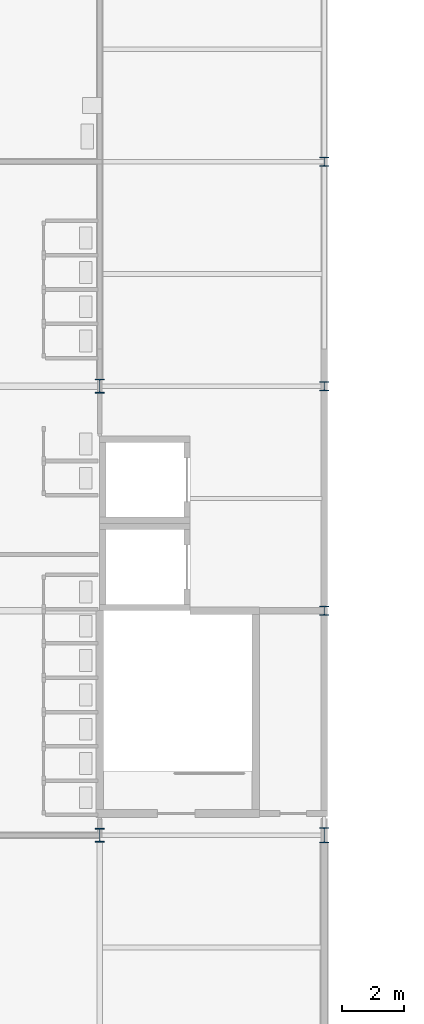
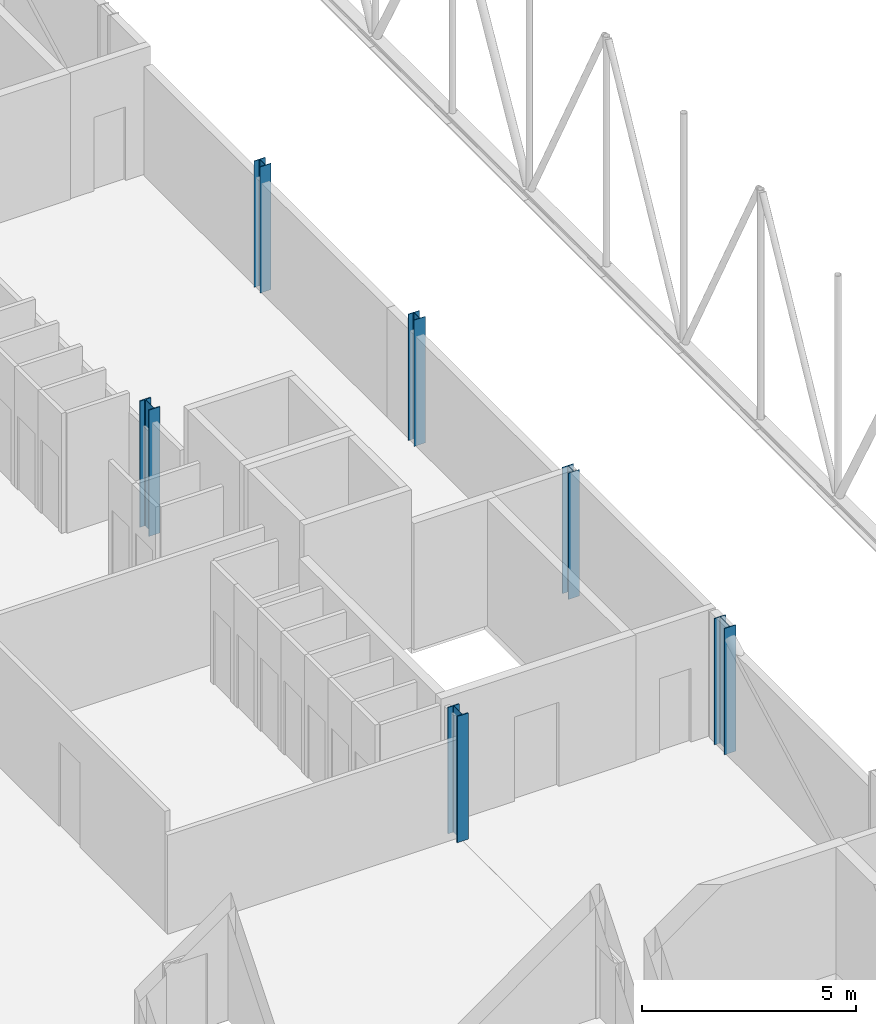
# One storey, part 7 of 142: 6 columns.
"""IFC4 building model written with IfcOpenShell, lengths in metres."""

from ifc_helpers import new_model, si_unit, direction, frame, origin, origin_2d, place, context, subcontext, project, spatial, i_section, extrude, material, material_profile, profile_set, type_object, element, save


model = new_model("IFC4")

# Units and contexts
model_context = context("Model", 3, precision=1e-05, world=origin(), true_north=direction((0.0, 1.0)))
body_context = subcontext(model_context, "Body", "Model", "MODEL_VIEW")
ifc_project = project(units=[si_unit("LENGTHUNIT", "METRE"), si_unit("AREAUNIT", "SQUARE_METRE"), si_unit("VOLUMEUNIT", "CUBIC_METRE"), si_unit("PLANEANGLEUNIT", "RADIAN"), si_unit("MASSUNIT", "GRAM", prefix="KILO")], contexts=[model_context])

# Site, building, storey
site_placement = place(None, origin())
site = spatial("IfcSite", under=ifc_project, at=site_placement, CompositionType="ELEMENT")
building_placement = place(site_placement, origin())
building = spatial("IfcBuilding", under=site, at=building_placement, Name="Kupolbacken Congress Centre", CompositionType="ELEMENT")
storey_placement = place(building_placement, frame((0.0, 0.0, 14.39990234375)))
storey = spatial("IfcBuildingStorey", under=building, at=storey_placement, Name="L04", CompositionType="ELEMENT", Elevation=14.39990234375)

# Columns
ifc_material_1 = material(Name="Steel S355", Category="steel")
ifc_material_profile_1 = material_profile(ifc_material_1, i_section(OverallWidth=0.300048828125, OverallDepth=0.449951171875, WebThickness=0.013916015625, FlangeThickness=0.02587890625, FilletRadius=0.027099609375, at=origin_2d()), Name="HEB 450")
ifc_profile_set_1 = profile_set([ifc_material_profile_1], Name="Steel S355")
column_type_1 = type_object("IfcColumnType", Name="C03 column HEB 450", PredefinedType="COLUMN", material=ifc_profile_set_1)
for number, where, z_axis, x_axis, name in (
    (1, (79.199951171875, 64.800048828125, 0.0), (0.0, 0.0, 1.0), (1.0, 0.0, 0.0), "S/col/C-P-12K/L04"),
    (2, (79.199951171875, 79.199951171875, 0.0), (0.0, 0.0, 1.0), (1.0, 0.0, 0.0), "S/col/C-P-12M/L04"),
):
    element("IfcColumn", number, at=place(storey_placement, frame(where, z_axis=z_axis, x_axis=x_axis)), inside=storey, type_object=column_type_1, Name=name, PredefinedType="COLUMN", context=body_context, shape_type="SweptSolid", body=[
        extrude(i_section(OverallWidth=0.300048828125, OverallDepth=0.449951171875, WebThickness=0.013916015625, FlangeThickness=0.02587890625, FilletRadius=0.027099609375, at=origin_2d()), origin(), (0.0, 0.0, 1.0), 3.60009765625),
    ])
ifc_material_2 = material(Name="Steel S355", Category="steel")
ifc_material_profile_2 = material_profile(ifc_material_2, i_section(OverallWidth=0.300048828125, OverallDepth=0.2900390625, WebThickness=0.008544921875, FlangeThickness=0.013916015625, FilletRadius=0.027099609375, at=origin_2d()), Name="HEA 300")
ifc_profile_set_2 = profile_set([ifc_material_profile_2], Name="Steel S355")
column_type_2 = type_object("IfcColumnType", Name="C09 column HEA 300", PredefinedType="COLUMN", material=ifc_profile_set_2)
for number, where, z_axis, x_axis, name in (
    (3, (86.39990234375, 72.0, 0.0), (0.0, 0.0, 1.0), (1.0, 0.0, 0.0), "S/col/C-H-PW05/L04"),
    (4, (86.39990234375, 79.199951171875, 0.0), (0.0, 0.0, 1.0), (1.0, 0.0, 0.0), "S/col/C-H-PW06/L04"),
    (5, (86.39990234375, 86.39990234375, 0.0), (0.0, 0.0, 1.0), (1.0, 0.0, 0.0), "S/col/C-H-PW07/L04"),
):
    element("IfcColumn", number, at=place(storey_placement, frame(where, z_axis=z_axis, x_axis=x_axis)), inside=storey, type_object=column_type_2, Name=name, PredefinedType="COLUMN", context=body_context, shape_type="SweptSolid", body=[
        extrude(i_section(OverallWidth=0.300048828125, OverallDepth=0.2900390625, WebThickness=0.008544921875, FlangeThickness=0.013916015625, FilletRadius=0.027099609375, at=origin_2d()), origin(), (0.0, 0.0, 1.0), 3.60009765625),
    ])
ifc_material_3 = material(Name="Steel S355", Category="steel")
ifc_material_profile_3 = material_profile(ifc_material_3, i_section(OverallWidth=0.300048828125, OverallDepth=0.489990234375, WebThickness=0.011962890625, FlangeThickness=0.02294921875, FilletRadius=0.027099609375, at=origin_2d()), Name="HEA 500")
ifc_profile_set_3 = profile_set([ifc_material_profile_3], Name="Steel S355")
column_type_3 = type_object("IfcColumnType", Name="C14 column HEA 500", PredefinedType="COLUMN", material=ifc_profile_set_3)
column_placement = place(storey_placement, frame((86.39990234375, 64.800048828125, 0.0), z_axis=(0.0, 0.0, 1.0), x_axis=(1.0, 0.0, 0.0)))
element("IfcColumn", 6, at=column_placement, inside=storey, type_object=column_type_3, Name="S/col/C-H-PW04/L04", PredefinedType="COLUMN", context=body_context, shape_type="SweptSolid", body=[
    extrude(i_section(OverallWidth=0.300048828125, OverallDepth=0.489990234375, WebThickness=0.011962890625, FlangeThickness=0.02294921875, FilletRadius=0.027099609375, at=origin_2d()), origin(), (0.0, 0.0, 1.0), 3.60009765625),
])

save(model, "model.ifc")
